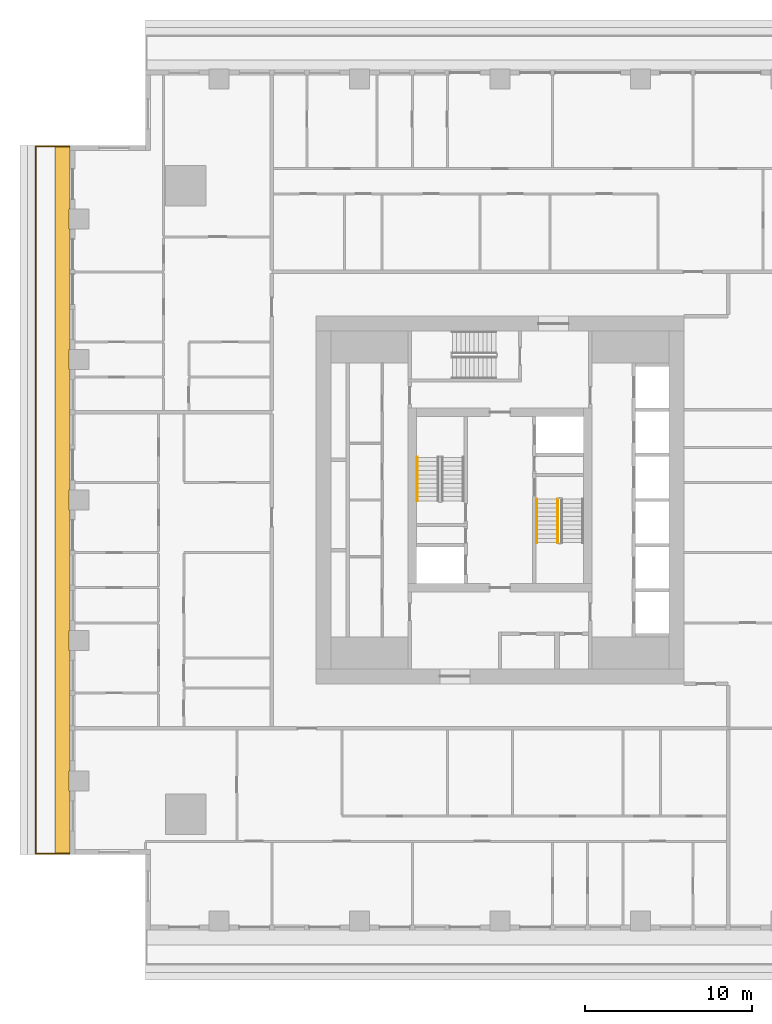
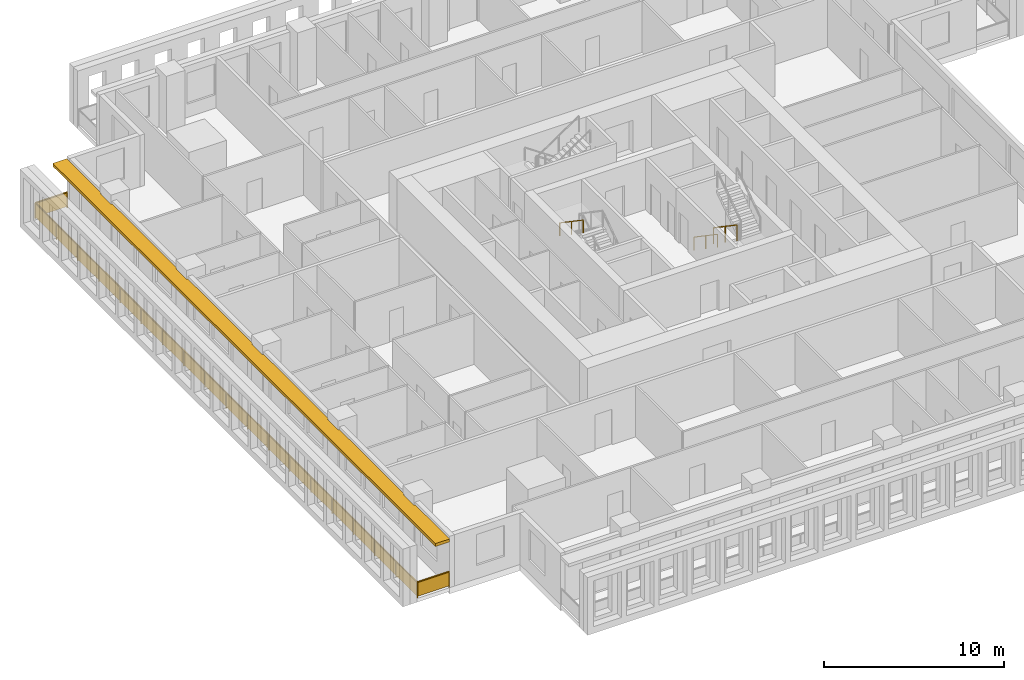
# One storey, part 11 of 15: 4 railings, 1 shading device.
"""IFC4 building model written with IfcOpenShell, lengths in metres."""

from ifc_helpers import new_model, si_unit, direction, frame, origin, origin_2d, place, context, subcontext, project, spatial, polyline, rectangle, outline, extrude, material, layer, layer_set, type_object, element, save


model = new_model("IFC4")

# Units and contexts
model_context = context("Model", 3, precision=1e-05, world=origin(), true_north=direction((0.0, 1.0)))
body_context = subcontext(model_context, "Body", "Model", "MODEL_VIEW")
ifc_project = project(units=[si_unit("LENGTHUNIT", "METRE"), si_unit("AREAUNIT", "SQUARE_METRE"), si_unit("VOLUMEUNIT", "CUBIC_METRE"), si_unit("PLANEANGLEUNIT", "RADIAN"), si_unit("MASSUNIT", "GRAM", prefix="KILO")], contexts=[model_context])

# Site, building, storey
site_placement = place(None, origin())
site = spatial("IfcSite", under=ifc_project, at=site_placement, CompositionType="ELEMENT")
building_placement = place(site_placement, origin())
building = spatial("IfcBuilding", under=site, at=building_placement, Name="Khepri Terraces", CompositionType="ELEMENT")
storey_placement = place(building_placement, frame((0.0, 0.0, 215.699951171875)))
storey = spatial("IfcBuildingStorey", under=building, at=storey_placement, Name="L51", CompositionType="ELEMENT", Elevation=215.699951171875)

# Railings
ifc_material_1 = material(Name="Stainless steel grade 316", Category="steel")
railing_type_1 = type_object("IfcRailingType", Name="GRD-BAL-1100", PredefinedType="GUARDRAIL", material=ifc_material_1)
railing_1_placement = place(storey_placement, frame((-25.719970703125, 21.169921875, 0.0)))
element("IfcRailing", 1, at=railing_1_placement, inside=storey, type_object=railing_type_1, Name="Balcony guard L51 W", PredefinedType="GUARDRAIL", context=body_context, shape_type="SweptSolid", body=[
    extrude(rectangle(XDim=0.050048828125, YDim=0.06005859375, at=origin_2d()), frame((0.0, 0.0, 1.070068359375), z_axis=(-1.0, 0.0, 0.0), x_axis=(0.0, -1.0, 0.0)), (0.0, 0.0, 1.0), 2.050048828125),
    extrude(rectangle(XDim=2.0, YDim=0.011962890625, at=origin_2d()), frame((-1.02490234375, 0.0, 0.10009765625), z_axis=(0.0, 0.0, 1.0), x_axis=(-1.0, 0.0, 0.0)), (0.0, 0.0, 1.0), 0.93994140625),
    extrude(rectangle(XDim=0.050048828125, YDim=0.06005859375, at=origin_2d()), frame((-2.050048828125, 0.0, 1.070068359375), z_axis=(0.0, -1.0, 0.0), x_axis=(1.0, 0.0, 0.0)), (0.0, 0.0, 1.0), 42.33984375),
    extrude(rectangle(XDim=2.30224609375, YDim=0.011962890625, at=origin_2d()), frame((-2.050048828125, -1.176025390625, 0.10009765625), z_axis=(0.0, 0.0, 1.0), x_axis=(0.0, -1.0, 0.0)), (0.0, 0.0, 1.0), 0.93994140625),
    extrude(rectangle(XDim=2.30224609375, YDim=0.011962890625, at=origin_2d()), frame((-2.050048828125, -3.5283203125, 0.10009765625), z_axis=(0.0, 0.0, 1.0), x_axis=(0.0, -1.0, 0.0)), (0.0, 0.0, 1.0), 0.93994140625),
    extrude(rectangle(XDim=2.30224609375, YDim=0.011962890625, at=origin_2d()), frame((-2.050048828125, -5.880615234375, 0.10009765625), z_axis=(0.0, 0.0, 1.0), x_axis=(0.0, -1.0, 0.0)), (0.0, 0.0, 1.0), 0.93994140625),
    extrude(rectangle(XDim=2.30224609375, YDim=0.011962890625, at=origin_2d()), frame((-2.050048828125, -8.232666015625, 0.10009765625), z_axis=(0.0, 0.0, 1.0), x_axis=(0.0, -1.0, 0.0)), (0.0, 0.0, 1.0), 0.93994140625),
    extrude(rectangle(XDim=2.30224609375, YDim=0.011962890625, at=origin_2d()), frame((-2.050048828125, -10.5849609375, 0.10009765625), z_axis=(0.0, 0.0, 1.0), x_axis=(0.0, -1.0, 0.0)), (0.0, 0.0, 1.0), 0.93994140625),
    extrude(rectangle(XDim=2.30224609375, YDim=0.011962890625, at=origin_2d()), frame((-2.050048828125, -12.937255859375, 0.10009765625), z_axis=(0.0, 0.0, 1.0), x_axis=(0.0, -1.0, 0.0)), (0.0, 0.0, 1.0), 0.93994140625),
    extrude(rectangle(XDim=2.30224609375, YDim=0.011962890625, at=origin_2d()), frame((-2.050048828125, -15.289306640625, 0.10009765625), z_axis=(0.0, 0.0, 1.0), x_axis=(0.0, -1.0, 0.0)), (0.0, 0.0, 1.0), 0.93994140625),
    extrude(rectangle(XDim=2.30224609375, YDim=0.011962890625, at=origin_2d()), frame((-2.050048828125, -17.6416015625, 0.10009765625), z_axis=(0.0, 0.0, 1.0), x_axis=(0.0, -1.0, 0.0)), (0.0, 0.0, 1.0), 0.93994140625),
    extrude(rectangle(XDim=2.30224609375, YDim=0.011962890625, at=origin_2d()), frame((-2.050048828125, -19.993896484375, 0.10009765625), z_axis=(0.0, 0.0, 1.0), x_axis=(0.0, -1.0, 0.0)), (0.0, 0.0, 1.0), 0.93994140625),
    extrude(rectangle(XDim=2.30224609375, YDim=0.011962890625, at=origin_2d()), frame((-2.050048828125, -22.345947265625, 0.10009765625), z_axis=(0.0, 0.0, 1.0), x_axis=(0.0, -1.0, 0.0)), (0.0, 0.0, 1.0), 0.93994140625),
    extrude(rectangle(XDim=2.30224609375, YDim=0.011962890625, at=origin_2d()), frame((-2.050048828125, -24.6982421875, 0.10009765625), z_axis=(0.0, 0.0, 1.0), x_axis=(0.0, -1.0, 0.0)), (0.0, 0.0, 1.0), 0.93994140625),
    extrude(rectangle(XDim=2.30224609375, YDim=0.011962890625, at=origin_2d()), frame((-2.050048828125, -27.050537109375, 0.10009765625), z_axis=(0.0, 0.0, 1.0), x_axis=(0.0, -1.0, 0.0)), (0.0, 0.0, 1.0), 0.93994140625),
    extrude(rectangle(XDim=2.30224609375, YDim=0.011962890625, at=origin_2d()), frame((-2.050048828125, -29.402587890625, 0.10009765625), z_axis=(0.0, 0.0, 1.0), x_axis=(0.0, -1.0, 0.0)), (0.0, 0.0, 1.0), 0.93994140625),
    extrude(rectangle(XDim=2.30224609375, YDim=0.011962890625, at=origin_2d()), frame((-2.050048828125, -31.7548828125, 0.10009765625), z_axis=(0.0, 0.0, 1.0), x_axis=(0.0, -1.0, 0.0)), (0.0, 0.0, 1.0), 0.93994140625),
    extrude(rectangle(XDim=2.30224609375, YDim=0.011962890625, at=origin_2d()), frame((-2.050048828125, -34.107177734375, 0.10009765625), z_axis=(0.0, 0.0, 1.0), x_axis=(0.0, -1.0, 0.0)), (0.0, 0.0, 1.0), 0.93994140625),
    extrude(rectangle(XDim=2.30224609375, YDim=0.011962890625, at=origin_2d()), frame((-2.050048828125, -36.459228515625, 0.10009765625), z_axis=(0.0, 0.0, 1.0), x_axis=(0.0, -1.0, 0.0)), (0.0, 0.0, 1.0), 0.93994140625),
    extrude(rectangle(XDim=2.30224609375, YDim=0.011962890625, at=origin_2d()), frame((-2.050048828125, -38.8115234375, 0.10009765625), z_axis=(0.0, 0.0, 1.0), x_axis=(0.0, -1.0, 0.0)), (0.0, 0.0, 1.0), 0.93994140625),
    extrude(rectangle(XDim=2.30224609375, YDim=0.011962890625, at=origin_2d()), frame((-2.050048828125, -41.163818359375, 0.10009765625), z_axis=(0.0, 0.0, 1.0), x_axis=(0.0, -1.0, 0.0)), (0.0, 0.0, 1.0), 0.93994140625),
    extrude(rectangle(XDim=0.050048828125, YDim=0.06005859375, at=origin_2d()), frame((-2.050048828125, -42.33984375, 1.070068359375), z_axis=(1.0, 0.0, 0.0), x_axis=(0.0, 1.0, 0.0)), (0.0, 0.0, 1.0), 2.050048828125),
    extrude(rectangle(XDim=2.0, YDim=0.011962890625, at=origin_2d()), frame((-1.02490234375, -42.33984375, 0.10009765625), z_axis=(0.0, 0.0, 1.0), x_axis=(1.0, 0.0, 0.0)), (0.0, 0.0, 1.0), 0.93994140625),
    extrude(rectangle(XDim=0.050048828125, YDim=0.050048828125, at=origin_2d()), origin(), (0.0, 0.0, 1.0), 1.0400390625),
    extrude(rectangle(XDim=0.050048828125, YDim=0.050048828125, at=origin_2d()), frame((-2.050048828125, 0.0, 0.0)), (0.0, 0.0, 1.0), 1.0400390625),
    extrude(rectangle(XDim=0.050048828125, YDim=0.050048828125, at=origin_2d()), frame((-2.050048828125, -2.352294921875, 0.0)), (0.0, 0.0, 1.0), 1.0400390625),
    extrude(rectangle(XDim=0.050048828125, YDim=0.050048828125, at=origin_2d()), frame((-2.050048828125, -4.704345703125, 0.0)), (0.0, 0.0, 1.0), 1.0400390625),
    extrude(rectangle(XDim=0.050048828125, YDim=0.050048828125, at=origin_2d()), frame((-2.050048828125, -7.056640625, 0.0)), (0.0, 0.0, 1.0), 1.0400390625),
    extrude(rectangle(XDim=0.050048828125, YDim=0.050048828125, at=origin_2d()), frame((-2.050048828125, -9.408935546875, 0.0)), (0.0, 0.0, 1.0), 1.0400390625),
    extrude(rectangle(XDim=0.050048828125, YDim=0.050048828125, at=origin_2d()), frame((-2.050048828125, -11.760986328125, 0.0)), (0.0, 0.0, 1.0), 1.0400390625),
    extrude(rectangle(XDim=0.050048828125, YDim=0.050048828125, at=origin_2d()), frame((-2.050048828125, -14.11328125, 0.0)), (0.0, 0.0, 1.0), 1.0400390625),
    extrude(rectangle(XDim=0.050048828125, YDim=0.050048828125, at=origin_2d()), frame((-2.050048828125, -16.465576171875, 0.0)), (0.0, 0.0, 1.0), 1.0400390625),
    extrude(rectangle(XDim=0.050048828125, YDim=0.050048828125, at=origin_2d()), frame((-2.050048828125, -18.817626953125, 0.0)), (0.0, 0.0, 1.0), 1.0400390625),
    extrude(rectangle(XDim=0.050048828125, YDim=0.050048828125, at=origin_2d()), frame((-2.050048828125, -21.169921875, 0.0)), (0.0, 0.0, 1.0), 1.0400390625),
    extrude(rectangle(XDim=0.050048828125, YDim=0.050048828125, at=origin_2d()), frame((-2.050048828125, -23.522216796875, 0.0)), (0.0, 0.0, 1.0), 1.0400390625),
    extrude(rectangle(XDim=0.050048828125, YDim=0.050048828125, at=origin_2d()), frame((-2.050048828125, -25.874267578125, 0.0)), (0.0, 0.0, 1.0), 1.0400390625),
    extrude(rectangle(XDim=0.050048828125, YDim=0.050048828125, at=origin_2d()), frame((-2.050048828125, -28.2265625, 0.0)), (0.0, 0.0, 1.0), 1.0400390625),
    extrude(rectangle(XDim=0.050048828125, YDim=0.050048828125, at=origin_2d()), frame((-2.050048828125, -30.578857421875, 0.0)), (0.0, 0.0, 1.0), 1.0400390625),
    extrude(rectangle(XDim=0.050048828125, YDim=0.050048828125, at=origin_2d()), frame((-2.050048828125, -32.930908203125, 0.0)), (0.0, 0.0, 1.0), 1.0400390625),
    extrude(rectangle(XDim=0.050048828125, YDim=0.050048828125, at=origin_2d()), frame((-2.050048828125, -35.283203125, 0.0)), (0.0, 0.0, 1.0), 1.0400390625),
    extrude(rectangle(XDim=0.050048828125, YDim=0.050048828125, at=origin_2d()), frame((-2.050048828125, -37.635498046875, 0.0)), (0.0, 0.0, 1.0), 1.0400390625),
    extrude(rectangle(XDim=0.050048828125, YDim=0.050048828125, at=origin_2d()), frame((-2.050048828125, -39.987548828125, 0.0)), (0.0, 0.0, 1.0), 1.0400390625),
    extrude(rectangle(XDim=0.050048828125, YDim=0.050048828125, at=origin_2d()), frame((-2.050048828125, -42.33984375, 0.0)), (0.0, 0.0, 1.0), 1.0400390625),
    extrude(rectangle(XDim=0.050048828125, YDim=0.050048828125, at=origin_2d()), frame((0.0, -42.33984375, 0.0)), (0.0, 0.0, 1.0), 1.0400390625),
])
ifc_material_2 = material(Name="Stainless steel 316", Category="steel")
railing_type_2 = type_object("IfcRailingType", Name="RL-CORE-GUARD", PredefinedType="GUARDRAIL", material=ifc_material_2)
railing_2_placement = place(storey_placement, frame((3.449951171875, 0.050048828125, 0.17724609375)))
element("IfcRailing", 2, at=railing_2_placement, inside=storey, type_object=railing_type_2, Name="L51 ST-2 stair guard 1", PredefinedType="GUARDRAIL", context=body_context, shape_type="SweptSolid", body=[
    extrude(rectangle(XDim=0.050048828125, YDim=0.06005859375, at=origin_2d()), frame((0.0, 0.0, 1.070068359375), z_axis=(0.0, -0.826240473404, 0.563317565952), x_axis=(1.0, 0.0, 0.0)), (0.0, 0.0, 1.0), 3.14697265625),
    extrude(rectangle(XDim=0.050048828125, YDim=0.050048828125, at=origin_2d()), origin(), (0.0, 0.0, 1.0), 1.0400390625),
    extrude(rectangle(XDim=0.050048828125, YDim=0.050048828125, at=origin_2d()), frame((0.0, -1.300048828125, 0.88623046875)), (0.0, 0.0, 1.0), 1.0400390625),
    extrude(rectangle(XDim=0.050048828125, YDim=0.050048828125, at=origin_2d()), frame((0.0, -2.60009765625, 1.772705078125)), (0.0, 0.0, 1.0), 1.0400390625),
])
railing_type_3 = type_object("IfcRailingType", Name="RL-CORE-HANDRAIL", PredefinedType="HANDRAIL", material=ifc_material_2)
for number, where, name in (
    (3, (-4.949951171875, 2.550048828125, 2.12744140625), "L51 ST-1 stair handrail 2"),
    (4, (2.199951171875, 0.050048828125, 0.17724609375), "L51 ST-2 stair handrail 1"),
):
    element("IfcRailing", number, at=place(storey_placement, frame(where)), inside=storey, type_object=railing_type_3, Name=name, PredefinedType="HANDRAIL", context=body_context, shape_type="SweptSolid", body=[
        extrude(rectangle(XDim=0.050048828125, YDim=0.050048828125, at=origin_2d()), frame((0.0, 0.0, 0.875), z_axis=(0.0, -0.826240473404, 0.563317565952), x_axis=(1.0, 0.0, 0.0)), (0.0, 0.0, 1.0), 3.14697265625),
        extrude(rectangle(XDim=0.050048828125, YDim=0.050048828125, at=origin_2d()), origin(), (0.0, 0.0, 1.0), 0.849853515625),
        extrude(rectangle(XDim=0.050048828125, YDim=0.050048828125, at=origin_2d()), frame((0.0, -1.300048828125, 0.88623046875)), (0.0, 0.0, 1.0), 0.849853515625),
        extrude(rectangle(XDim=0.050048828125, YDim=0.050048828125, at=origin_2d()), frame((0.0, -2.60009765625, 1.772705078125)), (0.0, 0.0, 1.0), 0.849853515625),
    ])

# Shading device
ifc_material_3 = material(Name="Precast concrete C50/60 warm stone", Category="masonry")
ifc_layer = layer(ifc_material_3, 0.199951171875, Name="Precast concrete C50/60 warm stone", Category="masonry")
ifc_layer_set = layer_set([ifc_layer], Name="Precast concrete C50/60 warm stone")
shading_device_type = type_object("IfcShadingDeviceType", Name="SSH-BAND-STONE-200", PredefinedType="USERDEFINED", material=ifc_layer_set)
shading_device_placement = place(storey_placement, frame((0.0, 0.0, 3.10009765625)))
element("IfcShadingDevice", 5, at=shading_device_placement, inside=storey, type_object=shading_device_type, Name="Sunshade band L51 W", ObjectType="SUNSHADE", PredefinedType="USERDEFINED", context=body_context, shape_type="SweptSolid", body=[
    extrude(outline(polyline([(-25.719970703125, 17.39990234375), (-25.719970703125, 21.219970703125), (-26.6201171875, 21.219970703125), (-26.6201171875, -21.219970703125), (-25.719970703125, -21.219970703125), (-25.719970703125, -17.39990234375), (-25.800048828125, -17.39990234375), (-25.800048828125, -16.199951171875), (-25.719970703125, -16.199951171875), (-25.719970703125, -9.0), (-25.800048828125, -9.0), (-25.800048828125, -7.800048828125), (-25.719970703125, -7.800048828125), (-25.719970703125, -0.60009765625), (-25.800048828125, -0.60009765625), (-25.800048828125, 0.60009765625), (-25.719970703125, 0.60009765625), (-25.719970703125, 7.800048828125), (-25.800048828125, 7.800048828125), (-25.800048828125, 9.0), (-25.719970703125, 9.0), (-25.719970703125, 16.199951171875), (-25.800048828125, 16.199951171875), (-25.800048828125, 17.39990234375), (-25.719970703125, 17.39990234375)])), origin(), (0.0, 0.0, 1.0), 0.199951171875),
])

save(model, "model.ifc")
